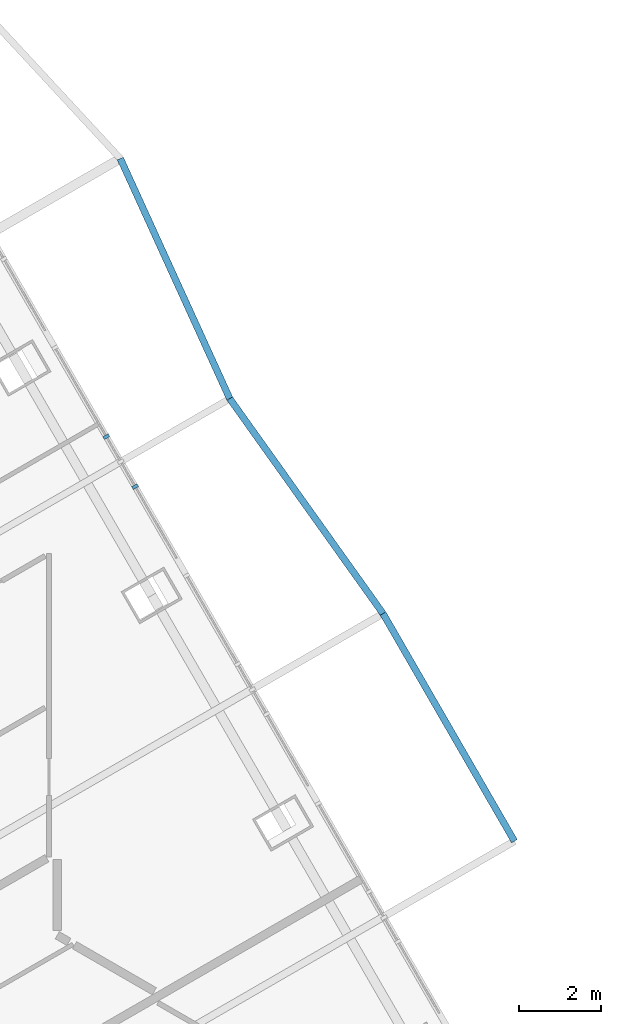
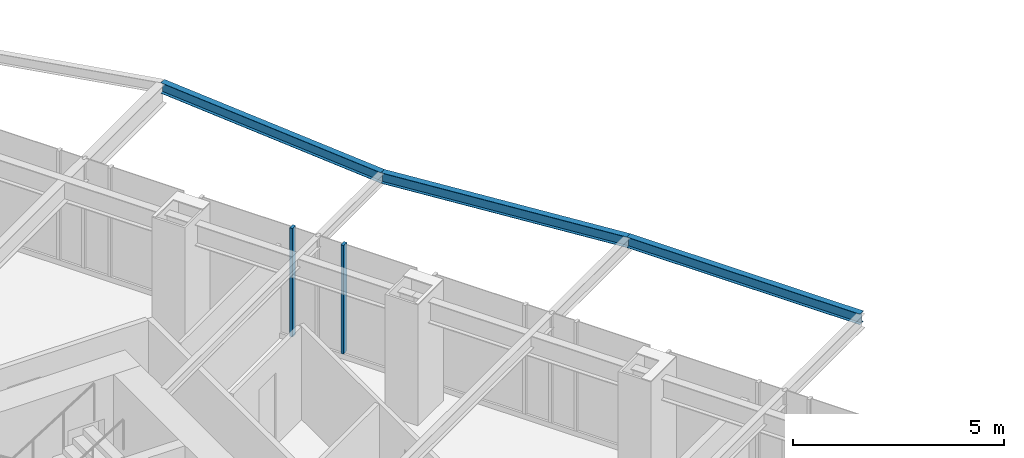
# One storey, part 11 of 26: 3 beams, 2 members, 1 element without a shape of its own.
"""IFC4 building model written with IfcOpenShell, lengths in metres."""

import ifcopenshell
import ifcopenshell.guid

model = None  # the IFC model being written
_history = None  # IfcOwnerHistory: only IFC2X3 demands one
_inside = {}  # id of a spatial element -> (the spatial element, [elements in it])
_under = {}  # id of a project, library or spatial element -> (it, [spatial elements below it])
_declared = {}  # id of a project -> (the project, [libraries it declares])
_typed = {}  # id of a type object -> (the type object, [elements of that type])
_made_of = {}  # id of a material, layer set ... -> (it, [elements and type objects made of it])


def new_model(schema):
    """Start an empty IFC model of exactly this schema.

    Asked for "IFC4X3", IfcOpenShell would pick the latest addendum, in which some entities
    have other attributes; the version numbers below select the first issue.
    IFC2X3 requires an IfcOwnerHistory on every rooted entity: one is made here for all.
    """
    global model, _history
    if schema == "IFC4X3":
        model = ifcopenshell.file(schema_version=(4, 3, 0, 0))
    else:
        model = ifcopenshell.file(schema=schema)
    _inside.clear()
    _under.clear()
    _declared.clear()
    _typed.clear()
    _made_of.clear()
    _history = None
    if model.schema == "IFC2X3":
        org = make("IfcOrganization", Name="unknown")
        user = make(
            "IfcPersonAndOrganization",
            ThePerson=make("IfcPerson", FamilyName="unknown"),
            TheOrganization=org,
        )
        app = make(
            "IfcApplication",
            ApplicationDeveloper=org,
            Version="unknown",
            ApplicationFullName="unknown",
            ApplicationIdentifier="unknown",
        )
        _history = make(
            "IfcOwnerHistory",
            OwningUser=user,
            OwningApplication=app,
            ChangeAction="ADDED",
            CreationDate=0,
        )
    return model


def make(cls, **values):
    """One entity of the class cls with the attributes given. An attribute that is None is left unset."""
    return model.create_entity(
        cls, **{name: value for name, value in values.items() if value is not None}
    )


def rooted(cls, **values):
    """An entity with a GlobalId (a new one), such as an element, a storey or a relation."""
    return make(cls, GlobalId=ifcopenshell.guid.new(), OwnerHistory=_history, **values)


def si_unit(unit_type, name, prefix=None):
    """IfcSIUnit, for example si_unit("LENGTHUNIT", "METRE", prefix="MILLI")."""
    return make("IfcSIUnit", UnitType=unit_type, Prefix=prefix, Name=name)


def assignment(units):
    """IfcUnitAssignment: the units of a project."""
    return None if units is None else make("IfcUnitAssignment", Units=units)


def point(xyz):
    """IfcCartesianPoint."""
    return None if xyz is None else make("IfcCartesianPoint", Coordinates=xyz)


def direction(xyz):
    """IfcDirection."""
    return None if xyz is None else make("IfcDirection", DirectionRatios=xyz)


def frame(location, z_axis=None, x_axis=None):
    """IfcAxis2Placement3D, a coordinate frame: its origin and axes. An axis left out is left unset."""
    return make(
        "IfcAxis2Placement3D",
        Location=point(location),
        Axis=direction(z_axis),
        RefDirection=direction(x_axis),
    )


def frame_2d(location, x_axis=None):
    """IfcAxis2Placement2D, a coordinate frame in the plane: its origin and x axis."""
    return make(
        "IfcAxis2Placement2D", Location=point(location), RefDirection=direction(x_axis)
    )


def origin():
    """The frame at (0, 0, 0) with its axes left unset."""
    return frame((0.0, 0.0, 0.0))


def origin_2d():
    """The frame at (0, 0) in the plane with its x axis left unset."""
    return frame_2d((0.0, 0.0))


def place(relative_to, where):
    """IfcLocalPlacement: puts the frame where relative to a parent placement (None: the world)."""
    return make(
        "IfcLocalPlacement", PlacementRelTo=relative_to, RelativePlacement=where
    )


def context(
    kind, dimensions, precision=None, world=None, true_north=None, identifier=None
):
    """IfcGeometricRepresentationContext, for example the 3D "Model" context."""
    return make(
        "IfcGeometricRepresentationContext",
        ContextIdentifier=identifier,
        ContextType=kind,
        CoordinateSpaceDimension=dimensions,
        Precision=precision,
        WorldCoordinateSystem=world,
        TrueNorth=true_north,
    )


def subcontext(parent, identifier, kind, view, scale=None):
    """IfcGeometricRepresentationSubContext, for example "Body" below "Model"."""
    return make(
        "IfcGeometricRepresentationSubContext",
        ContextIdentifier=identifier,
        ContextType=kind,
        ParentContext=parent,
        TargetScale=scale,
        TargetView=view,
    )


def project(units=None, contexts=None):
    """IfcProject with its units and contexts."""
    return rooted(
        "IfcProject",
        Name="project",
        RepresentationContexts=contexts,
        UnitsInContext=assignment(units),
    )


def spatial(cls, under=None, at=None, **own):
    """A site, building, storey or space (cls), placed at a placement, below another one or the project."""
    s = rooted(cls, ObjectPlacement=at, **own)
    if under is not None:
        _under.setdefault(under.id(), (under, []))[1].append(s)
    return s


def profile(cls, at=None, kind="AREA", **sizes):
    """A parametric profile (cls). Its sizes go by their IFC names, for example OverallWidth=200.0."""
    return make(cls, ProfileType=kind, Position=at, **sizes)


def rectangle(**sizes):
    """IfcRectangleProfileDef."""
    return profile("IfcRectangleProfileDef", **sizes)


def i_section(**sizes):
    """IfcIShapeProfileDef."""
    return profile("IfcIShapeProfileDef", **sizes)


def extrude(swept, where, along, depth):
    """IfcExtrudedAreaSolid: the profile swept, set in the frame where, extruded along a direction by depth."""
    return make(
        "IfcExtrudedAreaSolid",
        SweptArea=swept,
        Position=where,
        ExtrudedDirection=direction(along),
        Depth=depth,
    )


def shape(context_of_items, identifier, shape_type, items):
    """IfcShapeRepresentation: the items that make up one representation, for example the "Body"."""
    return make(
        "IfcShapeRepresentation",
        ContextOfItems=context_of_items,
        RepresentationIdentifier=identifier,
        RepresentationType=shape_type,
        Items=items,
    )


def material(Name=None, Category=None):
    """IfcMaterial."""
    return make("IfcMaterial", Name=Name, Category=Category)


def layer(
    of_material, thickness, ventilated=None, Name=None, Category=None, Priority=None
):
    """IfcMaterialLayer: one layer of a wall or slab, of a material (None: an air gap)."""
    return make(
        "IfcMaterialLayer",
        Material=of_material,
        LayerThickness=thickness,
        IsVentilated=ventilated,
        Name=Name,
        Category=Category,
        Priority=Priority,
    )


def layer_set(layers, Name=None):
    """IfcMaterialLayerSet."""
    return make("IfcMaterialLayerSet", MaterialLayers=layers, LayerSetName=Name)


def material_profile(
    of_material, cross_section, Name=None, Category=None, Priority=None
):
    """IfcMaterialProfile: a cross section and its material."""
    return make(
        "IfcMaterialProfile",
        Name=Name,
        Material=of_material,
        Profile=cross_section,
        Priority=Priority,
        Category=Category,
    )


def profile_set(profiles, Name=None, composite=None):
    """IfcMaterialProfileSet."""
    return make(
        "IfcMaterialProfileSet",
        Name=Name,
        MaterialProfiles=profiles,
        CompositeProfile=composite,
    )


def made_of(thing, what):
    """Note that an element or type object is made of a material, layer set ...; save() writes the relation."""
    if what is not None:
        _made_of.setdefault(what.id(), (what, []))[1].append(thing)
    return thing


def type_object(cls, material=None, **own):
    """A type object (cls), such as IfcWallType, which elements share."""
    return made_of(rooted(cls, **own), material)


def element(
    cls,
    number,
    at=None,
    inside=None,
    cuts=None,
    type_object=None,
    material=None,
    context=None,
    identifier="Body",
    shape_type=None,
    held_by="IfcProductDefinitionShape",
    body=None,
    shapes=None,
    **own,
):
    """One element of the class cls, such as IfcWall. Its Tag is "e" and its number.

    at: its placement. inside: the storey or other place that contains it. cuts: it is an
    opening in that element (IfcRelVoidsElement). A single representation is given by context,
    identifier, shape_type and body (its items); several are given by shapes. held_by: the class
    of the entity that holds the representations. save() writes the other relations.
    """
    e = rooted(cls, Tag="e%d" % number, ObjectPlacement=at, **own)
    if body is not None:
        shapes = [shape(context, identifier, shape_type, body)]
    if shapes is not None:
        e.Representation = make(held_by, Representations=shapes)
    if inside is not None:
        _inside.setdefault(inside.id(), (inside, []))[1].append(e)
    if cuts is not None:
        rooted(
            "IfcRelVoidsElement", RelatingBuildingElement=cuts, RelatedOpeningElement=e
        )
    if type_object is not None:
        _typed.setdefault(type_object.id(), (type_object, []))[1].append(e)
    return made_of(e, material)


def aggregate(whole, parts):
    """IfcRelAggregates: a whole, such as a stair, and the parts it consists of."""
    return rooted("IfcRelAggregates", RelatingObject=whole, RelatedObjects=parts)


def save(model, path):
    """Write the relations noted so far, then the file.

    IfcRelAggregates (storeys below a building ...), IfcRelContainedInSpatialStructure (elements
    in a storey), IfcRelDefinesByType, IfcRelAssociatesMaterial and IfcRelDeclares: one each for
    every whole, place, type object, material and project.
    """
    for whole, parts in _under.values():
        aggregate(whole, parts)
    for where, things in _inside.values():
        rooted(
            "IfcRelContainedInSpatialStructure",
            RelatedElements=things,
            RelatingStructure=where,
        )
    for kind, things in _typed.values():
        rooted("IfcRelDefinesByType", RelatedObjects=things, RelatingType=kind)
    for what, things in _made_of.values():
        rooted("IfcRelAssociatesMaterial", RelatedObjects=things, RelatingMaterial=what)
    for by, libraries in _declared.values():
        rooted("IfcRelDeclares", RelatingContext=by, RelatedDefinitions=libraries)
    model.write(path)


model = new_model("IFC4")

# Units and contexts
model_context = context("Model", 3, precision=1e-05, world=origin(), true_north=direction((0.0, 1.0)))
body_context = subcontext(model_context, "Body", "Model", "MODEL_VIEW")
ifc_project = project(units=[si_unit("LENGTHUNIT", "METRE"), si_unit("AREAUNIT", "SQUARE_METRE"), si_unit("VOLUMEUNIT", "CUBIC_METRE"), si_unit("PLANEANGLEUNIT", "RADIAN"), si_unit("MASSUNIT", "GRAM", prefix="KILO")], contexts=[model_context])

# Site, building, storey
site_placement = place(None, origin())
site = spatial("IfcSite", under=ifc_project, at=site_placement, CompositionType="ELEMENT")
building_placement = place(site_placement, origin())
building = spatial("IfcBuilding", under=site, at=building_placement, Name="Firuza Gate Tower and Library", CompositionType="ELEMENT")
storey_placement = place(building_placement, frame((0.0, 0.0, 288.10009765625)))
storey = spatial("IfcBuildingStorey", under=building, at=storey_placement, Name="L69", CompositionType="ELEMENT", Elevation=288.10009765625)

# Curtain wall, members
ifc_material_1 = material(Name="Aluminium 6063-T6", Category="aluminium")
ifc_layer = layer(ifc_material_1, 0.14990234375)
ifc_layer_set = layer_set([ifc_layer], Name="Unitised curtain wall, residences")
curtain_wall_type = type_object("IfcCurtainWallType", Name="Unitised curtain wall, residences", PredefinedType="NOTDEFINED", material=ifc_layer_set)
curtain_wall_placement = place(storey_placement, origin())
curtain_wall = element("IfcCurtainWall", 1, at=curtain_wall_placement, inside=storey, type_object=curtain_wall_type, Name="CW3 L69 E face", PredefinedType="NOTDEFINED")
ifc_material_2 = material(Name="Aluminium 6063-T6", Category="aluminium")
ifc_material_profile_1 = material_profile(ifc_material_2, rectangle(XDim=0.14990234375, YDim=0.080078125, at=origin_2d()))
ifc_profile_set_1 = profile_set([ifc_material_profile_1], Name="Aluminium 6063-T6")
member_type = type_object("IfcMemberType", Name="Curtain wall mullion 80x150", PredefinedType="MULLION", material=ifc_profile_set_1)
member_1_placement = place(storey_placement, frame((90.197021484375, 82.964111328125, 0.14990234375), z_axis=(0.0, 0.0, 1.0), x_axis=(-0.866025403784, -0.5, 0.0)))
member_1 = element("IfcMember", 2, at=member_1_placement, type_object=member_type, Name="Mullion", PredefinedType="MULLION", context=body_context, shape_type="SweptSolid", body=[
    extrude(rectangle(XDim=0.14990234375, YDim=0.080078125, at=origin_2d()), origin(), (0.0, 0.0, 1.0), 3.14990234375),
])
member_2_placement = place(storey_placement, frame((89.49560546875, 84.178955078125, 0.14990234375), z_axis=(0.0, 0.0, 1.0), x_axis=(-0.866025403784, -0.5, 0.0)))
member_2 = element("IfcMember", 3, at=member_2_placement, type_object=member_type, Name="Mullion", PredefinedType="MULLION", context=body_context, shape_type="SweptSolid", body=[
    extrude(rectangle(XDim=0.14990234375, YDim=0.080078125, at=origin_2d()), origin(), (0.0, 0.0, 1.0), 3.14990234375),
])
aggregate(curtain_wall, [member_1, member_2])

# Beams
ifc_material_3 = material(Name="Steel S355", Category="steel")
ifc_material_profile_2 = material_profile(ifc_material_3, i_section(OverallWidth=0.1650390625, OverallDepth=0.31005859375, WebThickness=0.005859375, FlangeThickness=0.009765625, at=origin_2d()))
ifc_profile_set_2 = profile_set([ifc_material_profile_2], Name="Steel S355")
beam_type = type_object("IfcBeamType", Name="W310x39 Floor beam", PredefinedType="JOIST", material=ifc_profile_set_2)
beam_1_placement = place(storey_placement, frame((99.418212890625, 74.34228515625, 3.14501953125), z_axis=(-0.499981548585, 0.866036056452, 0.0), x_axis=(-0.866036056452, -0.499981548585, 0.0)))
element("IfcBeam", 4, at=beam_1_placement, inside=storey, type_object=beam_type, Name="Tray edge beam L69 s50-s51", PredefinedType="JOIST", context=body_context, shape_type="SweptSolid", body=[
    extrude(i_section(OverallWidth=0.1650390625, OverallDepth=0.31005859375, WebThickness=0.005859375, FlangeThickness=0.009765625, at=origin_2d()), origin(), (0.0, 0.0, 1.0), 6.389404296875),
])
beam_2_placement = place(storey_placement, frame((96.2236328125, 79.875732421875, 3.14501953125), z_axis=(-0.580633594336, 0.814164988887, 0.0), x_axis=(-0.814164988887, -0.580633594336, 0.0)))
element("IfcBeam", 5, at=beam_2_placement, inside=storey, type_object=beam_type, Name="Tray edge beam L69 s51-s52", PredefinedType="JOIST", context=body_context, shape_type="SweptSolid", body=[
    extrude(i_section(OverallWidth=0.1650390625, OverallDepth=0.31005859375, WebThickness=0.005859375, FlangeThickness=0.009765625, at=origin_2d()), origin(), (0.0, 0.0, 1.0), 6.4189453125),
])
beam_3_placement = place(storey_placement, frame((92.49658203125, 85.101806640625, 3.14501953125), z_axis=(-0.41477704114, 0.909923077047, 0.0), x_axis=(-0.909923077047, -0.41477704114, 0.0)))
element("IfcBeam", 6, at=beam_3_placement, inside=storey, type_object=beam_type, Name="Tray edge beam L69 s52-s53", PredefinedType="JOIST", context=body_context, shape_type="SweptSolid", body=[
    extrude(i_section(OverallWidth=0.1650390625, OverallDepth=0.31005859375, WebThickness=0.005859375, FlangeThickness=0.009765625, at=origin_2d()), origin(), (0.0, 0.0, 1.0), 6.418701171875),
])

save(model, "model.ifc")
